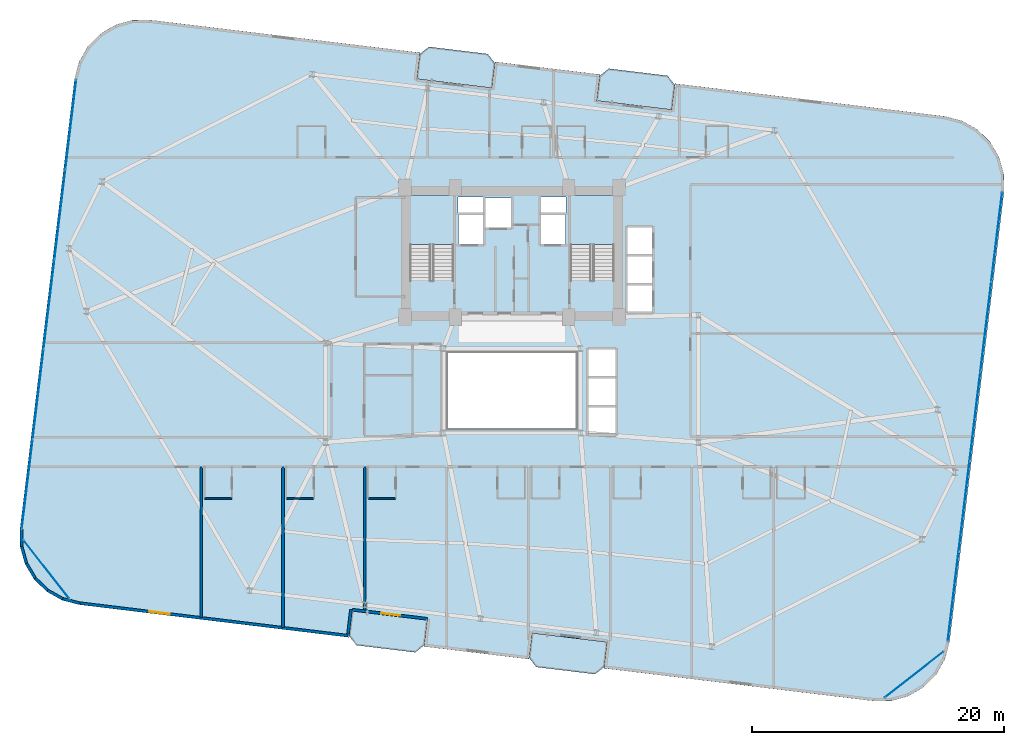
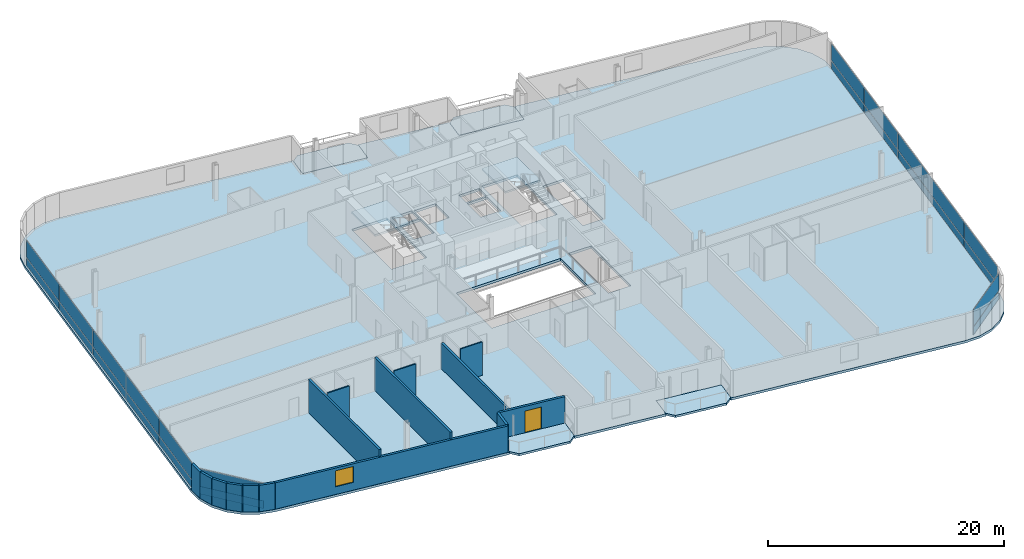
# One storey, part 19 of 26: 24 plates, 15 walls, 7 slabs, 1 door, 1 window, 2 openings, 6 elements without a shape of their own.
"""IFC4 building model written with IfcOpenShell, lengths in metres."""

from ifc_helpers import new_model, si_unit, direction, frame, frame_2d, origin, origin_2d, place, context, subcontext, project, spatial, polyline, rectangle, outline, extrude, source, transform, mapped, material, layer, layer_set, type_object, element, fill, aggregate, save


model = new_model("IFC4")

# Units and contexts
model_context = context("Model", 3, precision=1e-05, world=origin(), true_north=direction((0.0, 1.0)))
body_context = subcontext(model_context, "Body", "Model", "MODEL_VIEW")
ifc_project = project(units=[si_unit("LENGTHUNIT", "METRE"), si_unit("AREAUNIT", "SQUARE_METRE"), si_unit("VOLUMEUNIT", "CUBIC_METRE"), si_unit("PLANEANGLEUNIT", "RADIAN"), si_unit("MASSUNIT", "GRAM", prefix="KILO")], contexts=[model_context])

# Site, building, storey
site_placement = place(None, origin())
site = spatial("IfcSite", under=ifc_project, at=site_placement, CompositionType="ELEMENT")
building_placement = place(site_placement, origin())
building = spatial("IfcBuilding", under=site, at=building_placement, Name="Varnelok Gate Tower", CompositionType="ELEMENT")
storey_placement = place(building_placement, frame((0.0, 0.0, 121.699951171875)))
storey = spatial("IfcBuildingStorey", under=building, at=storey_placement, Name="L30", CompositionType="ELEMENT", Elevation=121.699951171875)

# Slabs
ifc_material_1 = material(Name="Concrete C45/55", Category="concrete")
ifc_layer_1 = layer(ifc_material_1, 0.219970703125)
ifc_layer_set_1 = layer_set([ifc_layer_1], Name="Concrete C45/55")
slab_type_1 = type_object("IfcSlabType", Name="SLB-BALC-220", PredefinedType="FLOOR", material=ifc_layer_set_1)
slab_1_placement = place(storey_placement, frame((0.0, 0.0, -0.219970703125)))
element("IfcSlab", 1, at=slab_1_placement, inside=storey, type_object=slab_type_1, Name="L30 South Hollow Balcony 1", PredefinedType="FLOOR", context=body_context, shape_type="SweptSolid", body=[
    extrude(outline(polyline([(26.27001953125, 3.39697265625), (26.837158203125, 2.67333984375), (31.5029296875, 2.107666015625), (32.2265625, 2.6748046875), (32.46728515625, 4.660400390625), (26.5107421875, 5.38232421875), (26.27001953125, 3.39697265625)])), origin(), (0.0, 0.0, 1.0), 0.219970703125),
])
slab_2_placement = place(storey_placement, frame((0.0, 0.0, -0.219970703125)))
element("IfcSlab", 2, at=slab_2_placement, inside=storey, type_object=slab_type_1, Name="L30 South Hollow Balcony 2", PredefinedType="FLOOR", context=body_context, shape_type="SweptSolid", body=[
    extrude(outline(polyline([(40.5654296875, 1.663818359375), (41.132568359375, 0.9404296875), (45.79833984375, 0.374755859375), (46.521728515625, 0.94189453125), (46.762451171875, 2.92724609375), (40.80615234375, 3.6494140625), (40.5654296875, 1.663818359375)])), origin(), (0.0, 0.0, 1.0), 0.219970703125),
])
slab_3_placement = place(storey_placement, frame((0.0, 0.0, -0.219970703125)))
element("IfcSlab", 3, at=slab_3_placement, inside=storey, type_object=slab_type_1, Name="L30 North Hollow Balcony 1", PredefinedType="FLOOR", context=body_context, shape_type="SweptSolid", body=[
    extrude(outline(polyline([(31.637451171875, 47.672607421875), (37.593994140625, 46.95068359375), (37.834716796875, 48.93603515625), (37.267578125, 49.65966796875), (32.601806640625, 50.22509765625), (31.878173828125, 49.658203125), (31.637451171875, 47.672607421875)])), origin(), (0.0, 0.0, 1.0), 0.219970703125),
])
slab_4_placement = place(storey_placement, frame((0.0, 0.0, -0.219970703125)))
element("IfcSlab", 4, at=slab_4_placement, inside=storey, type_object=slab_type_1, Name="L30 North Hollow Balcony 2", PredefinedType="FLOOR", context=body_context, shape_type="SweptSolid", body=[
    extrude(outline(polyline([(45.932861328125, 45.939697265625), (51.88916015625, 45.2177734375), (52.1298828125, 47.203125), (51.562744140625, 47.926513671875), (46.89697265625, 48.4921875), (46.173583984375, 47.92529296875), (45.932861328125, 45.939697265625)])), origin(), (0.0, 0.0, 1.0), 0.219970703125),
])

# Stair, slab
ifc_material_2 = material(Name="Concrete C50/60", Category="concrete")
stair_type = type_object("IfcStairType", Name="STR-CORE-1650", PredefinedType="HALF_TURN_STAIR", material=ifc_material_2)
stair_1_placement = place(storey_placement, origin())
stair_1 = element("IfcStair", 5, at=stair_1_placement, inside=storey, type_object=stair_type, Name="L30 Exit Stair ST-1", PredefinedType="HALF_TURN_STAIR")
ifc_layer_2 = layer(ifc_material_1, 0.199951171875)
ifc_layer_set_2 = layer_set([ifc_layer_2], Name="Concrete C45/55")
slab_type_2 = type_object("IfcSlabType", Name="SLB-LAND-200", PredefinedType="LANDING", material=ifc_layer_set_2)
slab_5_placement = place(storey_placement, frame((0.0, 0.0, 1.650146484375)))
slab_5 = element("IfcSlab", 6, at=slab_5_placement, type_object=slab_type_2, Name="ST-1 landing 1", PredefinedType="LANDING", context=body_context, shape_type="SweptSolid", body=[
    extrude(outline(polyline([(34.550048828125, 34.5), (34.550048828125, 38.449951171875), (31.10009765625, 38.449951171875), (31.10009765625, 34.5), (34.550048828125, 34.5)])), origin(), (0.0, 0.0, 1.0), 0.199951171875),
])
aggregate(stair_1, [slab_5])

stair_2_placement = place(storey_placement, origin())
stair_2 = element("IfcStair", 7, at=stair_2_placement, inside=storey, type_object=stair_type, Name="L30 Exit Stair ST-2", PredefinedType="HALF_TURN_STAIR")
slab_6_placement = place(storey_placement, frame((0.0, 0.0, 1.650146484375)))
slab_6 = element("IfcSlab", 8, at=slab_6_placement, type_object=slab_type_2, Name="ST-2 landing 1", PredefinedType="LANDING", context=body_context, shape_type="SweptSolid", body=[
    extrude(outline(polyline([(47.300048828125, 34.5), (47.300048828125, 38.449951171875), (43.85009765625, 38.449951171875), (43.85009765625, 34.5), (47.300048828125, 34.5)])), origin(), (0.0, 0.0, 1.0), 0.199951171875),
])
aggregate(stair_2, [slab_6])

# Slab
ifc_layer_3 = layer(ifc_material_2, 0.25)
ifc_layer_set_3 = layer_set([ifc_layer_3], Name="Concrete C50/60")
slab_type_3 = type_object("IfcSlabType", Name="SLB-TYP-250", PredefinedType="FLOOR", material=ifc_layer_set_3)
slab_7_placement = place(storey_placement, frame((0.0, 0.0, -0.25)))
element("IfcSlab", 9, at=slab_7_placement, inside=storey, type_object=slab_type_3, Name="L30 Structural Floor Slab", PredefinedType="FLOOR", context=body_context, shape_type="SweptSolid", body=[
    extrude(outline(polyline([(0.104248046875, 11.90771484375), (0.11865234375, 10.498046875), (0.49755859375, 9.14013671875), (1.214599609375, 7.9267578125), (2.2216796875, 6.940185546875), (3.44970703125, 6.247802734375), (4.81494140625, 5.89697265625), (16.529296875, 4.47705078125), (26.258056640625, 3.297607421875), (26.5107421875, 5.38232421875), (32.46728515625, 4.660400390625), (32.214599609375, 2.575439453125), (40.553466796875, 1.564697265625), (40.80615234375, 3.6494140625), (46.762451171875, 2.92724609375), (46.509765625, 0.842529296875), (56.238525390625, -0.3369140625), (67.952880859375, -1.7568359375), (69.3623046875, -1.742431640625), (70.72021484375, -1.363525390625), (71.933837890625, -0.646240234375), (72.92041015625, 0.360595703125), (73.612548828125, 1.588623046875), (73.96337890625, 2.9541015625), (78.2958984375, 38.6923828125), (78.281494140625, 40.101806640625), (77.902587890625, 41.459716796875), (77.185302734375, 42.67333984375), (76.17822265625, 43.659912109375), (74.9501953125, 44.35205078125), (73.5849609375, 44.702880859375), (61.87060546875, 46.123046875), (52.141845703125, 47.302490234375), (51.88916015625, 45.2177734375), (45.932861328125, 45.939697265625), (46.185546875, 48.0244140625), (37.8466796875, 49.035400390625), (37.593994140625, 46.95068359375), (31.637451171875, 47.672607421875), (31.89013671875, 49.75732421875), (22.161376953125, 50.936767578125), (10.447265625, 52.35693359375), (9.03759765625, 52.34228515625), (7.6796875, 51.963623046875), (6.46630859375, 51.246337890625), (5.479736328125, 50.2392578125), (4.787353515625, 49.01123046875), (4.4365234375, 47.64599609375), (0.104248046875, 11.90771484375)]), holes=[polyline([(34.550048828125, 31.679931640625), (34.550048828125, 38.449951171875), (31.10009765625, 38.449951171875), (31.10009765625, 31.679931640625), (34.550048828125, 31.679931640625)]), polyline([(47.300048828125, 31.679931640625), (47.300048828125, 38.449951171875), (43.85009765625, 38.449951171875), (43.85009765625, 31.679931640625), (47.300048828125, 31.679931640625)]), polyline([(34.949951171875, 34.550048828125), (36.89990234375, 34.550048828125), (36.89990234375, 36.89990234375), (34.949951171875, 36.89990234375), (34.949951171875, 34.550048828125)]), polyline([(41.5, 34.550048828125), (43.449951171875, 34.550048828125), (43.449951171875, 36.89990234375), (41.5, 36.89990234375), (41.5, 34.550048828125)]), polyline([(37.050048828125, 35.85009765625), (39.14990234375, 35.85009765625), (39.14990234375, 38.199951171875), (37.050048828125, 38.199951171875), (37.050048828125, 35.85009765625)]), polyline([(48.35009765625, 29.14990234375), (50.35009765625, 29.14990234375), (50.35009765625, 35.89990234375), (48.35009765625, 35.89990234375), (48.35009765625, 29.14990234375)]), polyline([(45.25, 19.449951171875), (47.449951171875, 19.449951171875), (47.449951171875, 26.199951171875), (45.25, 26.199951171875), (45.25, 19.449951171875)]), polyline([(34.919921875, 37.080078125), (36.89990234375, 37.080078125), (36.89990234375, 38.280029296875), (34.919921875, 38.280029296875), (34.919921875, 37.080078125)]), polyline([(41.5, 37.080078125), (43.47998046875, 37.080078125), (43.47998046875, 38.280029296875), (41.5, 38.280029296875), (41.5, 37.080078125)]), polyline([(34.10009765625, 19.89990234375), (44.300048828125, 19.89990234375), (44.300048828125, 25.89990234375), (34.10009765625, 25.89990234375), (34.10009765625, 19.89990234375)])]), origin(), (0.0, 0.0, 1.0), 0.25),
])

# Curtain wall, plate
ifc_material_3 = material(Name="Anodized Aluminum Alloy 6063-T6", Category="aluminium")
ifc_layer_4 = layer(ifc_material_3, 0.179931640625)
ifc_layer_set_4 = layer_set([ifc_layer_4], Name="Anodized Aluminum Alloy 6063-T6")
curtain_wall_type_1 = type_object("IfcCurtainWallType", Name="CW5-WINDCORNER-GLAZ", PredefinedType="USERDEFINED", material=ifc_layer_set_4)
curtain_wall_1_placement = place(storey_placement, origin())
curtain_wall_1 = element("IfcCurtainWall", 10, at=curtain_wall_1_placement, inside=storey, type_object=curtain_wall_type_1, Name="L30 Wind-Shaped Corner Curtain Wall SW", ObjectType="STRUCTURAL GLAZING", PredefinedType="USERDEFINED")
ifc_material_4 = material(Name="Low-E Laminated Double Glazing IGU", Category="glass")
ifc_layer_5 = layer(ifc_material_4, 0.0419921875)
ifc_layer_set_5 = layer_set([ifc_layer_5], Name="Low-E Laminated Double Glazing IGU")
plate_type_1 = type_object("IfcPlateType", Name="CW-PNL-SPN42", PredefinedType="CURTAIN_PANEL", material=ifc_layer_set_5)
shared_shape_1 = source(origin(), body_context, "Body", "SweptSolid", [
    extrude(rectangle(XDim=5.8662109375, YDim=0.0419921875, at=origin_2d()), origin(), (0.0, 0.0, 1.0), 0.802490234375),
])
plate_1_placement = place(storey_placement, frame((2.20361328125, 8.70166015625, 0.06494140625), z_axis=(0.0, 0.0, 1.0), x_axis=(0.616882780063, -0.787055039792, 0.0)))
plate_1 = element("IfcPlate", 11, at=plate_1_placement, type_object=plate_type_1, Name="CW5 panel 1.1", PredefinedType="CURTAIN_PANEL", context=body_context, shape_type="MappedRepresentation", body=[
    mapped(shared_shape_1, transform((0.0, 0.0, 0.0), scale=1.0)),
])

curtain_wall_2_placement = place(storey_placement, origin())
curtain_wall_2 = element("IfcCurtainWall", 12, at=curtain_wall_2_placement, inside=storey, type_object=curtain_wall_type_1, Name="L30 Wind-Shaped Corner Curtain Wall SE", ObjectType="STRUCTURAL GLAZING", PredefinedType="USERDEFINED")
plate_2_placement = place(storey_placement, frame((71.15869140625, 0.342529296875, 0.06494140625), z_axis=(0.0, 0.0, 1.0), x_axis=(0.787069482921, 0.616864352232, 0.0)))
plate_2 = element("IfcPlate", 13, at=plate_2_placement, type_object=plate_type_1, Name="CW5 panel 1.1", PredefinedType="CURTAIN_PANEL", context=body_context, shape_type="MappedRepresentation", body=[
    mapped(shared_shape_1, transform((0.0, 0.0, 0.0), scale=1.0)),
])

# Plate
shared_shape_2 = source(origin(), body_context, "Body", "SweptSolid", [
    extrude(rectangle(XDim=5.8662109375, YDim=0.0419921875, at=origin_2d()), origin(), (0.0, 0.0, 1.0), 1.732421875),
])
plate_3_placement = place(storey_placement, frame((2.20361328125, 8.70166015625, 0.9326171875), z_axis=(0.0, 0.0, 1.0), x_axis=(0.616882780063, -0.787055039792, 0.0)))
plate_3 = element("IfcPlate", 14, at=plate_3_placement, type_object=plate_type_1, Name="CW5 panel 1.2", PredefinedType="CURTAIN_PANEL", context=body_context, shape_type="MappedRepresentation", body=[
    mapped(shared_shape_2, transform((0.0, 0.0, 0.0), scale=1.0)),
])

aggregate(curtain_wall_1, [plate_1, plate_3])

plate_4_placement = place(storey_placement, frame((71.15869140625, 0.342529296875, 0.9326171875), z_axis=(0.0, 0.0, 1.0), x_axis=(0.787069482921, 0.616864352232, 0.0)))
plate_4 = element("IfcPlate", 15, at=plate_4_placement, type_object=plate_type_1, Name="CW5 panel 1.2", PredefinedType="CURTAIN_PANEL", context=body_context, shape_type="MappedRepresentation", body=[
    mapped(shared_shape_2, transform((0.0, 0.0, 0.0), scale=1.0)),
])

aggregate(curtain_wall_2, [plate_2, plate_4])

# Curtain wall, plates
ifc_layer_6 = layer(ifc_material_3, 0.179931640625)
ifc_layer_set_6 = layer_set([ifc_layer_6], Name="Anodized Aluminum Alloy 6063-T6")
curtain_wall_type_2 = type_object("IfcCurtainWallType", Name="CW3-HOTEL-VISION", PredefinedType="USERDEFINED", material=ifc_layer_set_6)
curtain_wall_3_placement = place(storey_placement, origin())
curtain_wall_3 = element("IfcCurtainWall", 16, at=curtain_wall_3_placement, inside=storey, type_object=curtain_wall_type_2, Name="L30 West End Vision Curtain Wall", ObjectType="UNITISED CURTAIN WALL", PredefinedType="USERDEFINED")
ifc_layer_7 = layer(ifc_material_4, 0.031982421875)
ifc_layer_set_7 = layer_set([ifc_layer_7], Name="Low-E Laminated Double Glazing IGU")
plate_type_2 = type_object("IfcPlateType", Name="CW-PNL-IGU32", PredefinedType="CURTAIN_PANEL", material=ifc_layer_set_7)
shared_shape_3 = source(origin(), body_context, "Body", "SweptSolid", [
    extrude(rectangle(XDim=7.1025390625, YDim=0.031982421875, at=origin_2d()), origin(), (0.0, 0.0, 1.0), 0.802490234375),
])
plate_5_placement = place(storey_placement, frame((0.67822265625, 15.480712890625, 0.06494140625), z_axis=(0.0, 0.0, 1.0), x_axis=(0.120347046212, 0.99273188146, 0.0)))
plate_5 = element("IfcPlate", 17, at=plate_5_placement, type_object=plate_type_2, Name="CW3 panel 1.1", PredefinedType="CURTAIN_PANEL", context=body_context, shape_type="MappedRepresentation", body=[
    mapped(shared_shape_3, transform((0.0, 0.0, 0.0), scale=1.0)),
])
plate_6_placement = place(storey_placement, frame((4.140380859375, 44.039306640625, 0.06494140625), z_axis=(0.0, 0.0, 1.0), x_axis=(0.120347046212, 0.99273188146, 0.0)))
plate_6 = element("IfcPlate", 18, at=plate_6_placement, type_object=plate_type_2, Name="CW3 panel 5.1", PredefinedType="CURTAIN_PANEL", context=body_context, shape_type="MappedRepresentation", body=[
    mapped(shared_shape_3, transform((0.0, 0.0, 0.0), scale=1.0)),
])

curtain_wall_4_placement = place(storey_placement, origin())
curtain_wall_4 = element("IfcCurtainWall", 19, at=curtain_wall_4_placement, inside=storey, type_object=curtain_wall_type_2, Name="L30 East End Vision Curtain Wall", ObjectType="UNITISED CURTAIN WALL", PredefinedType="USERDEFINED")
plate_7_placement = place(storey_placement, frame((77.7216796875, 35.119140625, 0.06494140625), z_axis=(0.0, 0.0, 1.0), x_axis=(-0.120347046212, -0.99273188146, 0.0)))
plate_7 = element("IfcPlate", 20, at=plate_7_placement, type_object=plate_type_2, Name="CW3 panel 1.1", PredefinedType="CURTAIN_PANEL", context=body_context, shape_type="MappedRepresentation", body=[
    mapped(shared_shape_3, transform((0.0, 0.0, 0.0), scale=1.0)),
])
plate_8_placement = place(storey_placement, frame((74.259521484375, 6.560791015625, 0.06494140625), z_axis=(0.0, 0.0, 1.0), x_axis=(-0.120347046212, -0.99273188146, 0.0)))
plate_8 = element("IfcPlate", 21, at=plate_8_placement, type_object=plate_type_2, Name="CW3 panel 5.1", PredefinedType="CURTAIN_PANEL", context=body_context, shape_type="MappedRepresentation", body=[
    mapped(shared_shape_3, transform((0.0, 0.0, 0.0), scale=1.0)),
])

# Plate
shared_shape_4 = source(origin(), body_context, "Body", "SweptSolid", [
    extrude(rectangle(XDim=7.1025390625, YDim=0.031982421875, at=origin_2d()), origin(), (0.0, 0.0, 1.0), 1.732421875),
])
plate_9_placement = place(storey_placement, frame((0.67822265625, 15.480712890625, 0.9326171875), z_axis=(0.0, 0.0, 1.0), x_axis=(0.120347046212, 0.99273188146, 0.0)))
plate_9 = element("IfcPlate", 22, at=plate_9_placement, type_object=plate_type_2, Name="CW3 panel 1.2", PredefinedType="CURTAIN_PANEL", context=body_context, shape_type="MappedRepresentation", body=[
    mapped(shared_shape_4, transform((0.0, 0.0, 0.0), scale=1.0)),
])

plate_10_placement = place(storey_placement, frame((4.140380859375, 44.039306640625, 0.9326171875), z_axis=(0.0, 0.0, 1.0), x_axis=(0.120347046212, 0.99273188146, 0.0)))
plate_10 = element("IfcPlate", 23, at=plate_10_placement, type_object=plate_type_2, Name="CW3 panel 5.2", PredefinedType="CURTAIN_PANEL", context=body_context, shape_type="MappedRepresentation", body=[
    mapped(shared_shape_4, transform((0.0, 0.0, 0.0), scale=1.0)),
])

plate_11_placement = place(storey_placement, frame((77.7216796875, 35.119140625, 0.9326171875), z_axis=(0.0, 0.0, 1.0), x_axis=(-0.120347046212, -0.99273188146, 0.0)))
plate_11 = element("IfcPlate", 24, at=plate_11_placement, type_object=plate_type_2, Name="CW3 panel 1.2", PredefinedType="CURTAIN_PANEL", context=body_context, shape_type="MappedRepresentation", body=[
    mapped(shared_shape_4, transform((0.0, 0.0, 0.0), scale=1.0)),
])

plate_12_placement = place(storey_placement, frame((74.259521484375, 6.560791015625, 0.9326171875), z_axis=(0.0, 0.0, 1.0), x_axis=(-0.120347046212, -0.99273188146, 0.0)))
plate_12 = element("IfcPlate", 25, at=plate_12_placement, type_object=plate_type_2, Name="CW3 panel 5.2", PredefinedType="CURTAIN_PANEL", context=body_context, shape_type="MappedRepresentation", body=[
    mapped(shared_shape_4, transform((0.0, 0.0, 0.0), scale=1.0)),
])

shared_shape_5 = source(origin(), body_context, "Body", "SweptSolid", [
    extrude(rectangle(XDim=7.135009765625, YDim=0.031982421875, at=origin_2d()), origin(), (0.0, 0.0, 1.0), 0.802490234375),
])
plate_13_placement = place(storey_placement, frame((1.54296875, 22.6123046875, 0.06494140625), z_axis=(0.0, 0.0, 1.0), x_axis=(0.120347046212, 0.99273188146, 0.0)))
plate_13 = element("IfcPlate", 26, at=plate_13_placement, type_object=plate_type_2, Name="CW3 panel 2.1", PredefinedType="CURTAIN_PANEL", context=body_context, shape_type="MappedRepresentation", body=[
    mapped(shared_shape_5, transform((0.0, 0.0, 0.0), scale=1.0)),
])

plate_14_placement = place(storey_placement, frame((2.409423828125, 29.760009765625, 0.06494140625), z_axis=(0.0, 0.0, 1.0), x_axis=(0.120347046212, 0.99273188146, 0.0)))
plate_14 = element("IfcPlate", 27, at=plate_14_placement, type_object=plate_type_2, Name="CW3 panel 3.1", PredefinedType="CURTAIN_PANEL", context=body_context, shape_type="MappedRepresentation", body=[
    mapped(shared_shape_5, transform((0.0, 0.0, 0.0), scale=1.0)),
])

plate_15_placement = place(storey_placement, frame((3.27587890625, 36.90771484375, 0.06494140625), z_axis=(0.0, 0.0, 1.0), x_axis=(0.120347046212, 0.99273188146, 0.0)))
plate_15 = element("IfcPlate", 28, at=plate_15_placement, type_object=plate_type_2, Name="CW3 panel 4.1", PredefinedType="CURTAIN_PANEL", context=body_context, shape_type="MappedRepresentation", body=[
    mapped(shared_shape_5, transform((0.0, 0.0, 0.0), scale=1.0)),
])

plate_16_placement = place(storey_placement, frame((76.857177734375, 27.98779296875, 0.06494140625), z_axis=(0.0, 0.0, 1.0), x_axis=(-0.120347046212, -0.99273188146, 0.0)))
plate_16 = element("IfcPlate", 29, at=plate_16_placement, type_object=plate_type_2, Name="CW3 panel 2.1", PredefinedType="CURTAIN_PANEL", context=body_context, shape_type="MappedRepresentation", body=[
    mapped(shared_shape_5, transform((0.0, 0.0, 0.0), scale=1.0)),
])

plate_17_placement = place(storey_placement, frame((75.99072265625, 20.840087890625, 0.06494140625), z_axis=(0.0, 0.0, 1.0), x_axis=(-0.120347046212, -0.99273188146, 0.0)))
plate_17 = element("IfcPlate", 30, at=plate_17_placement, type_object=plate_type_2, Name="CW3 panel 3.1", PredefinedType="CURTAIN_PANEL", context=body_context, shape_type="MappedRepresentation", body=[
    mapped(shared_shape_5, transform((0.0, 0.0, 0.0), scale=1.0)),
])

plate_18_placement = place(storey_placement, frame((75.124267578125, 13.6923828125, 0.06494140625), z_axis=(0.0, 0.0, 1.0), x_axis=(-0.120347046212, -0.99273188146, 0.0)))
plate_18 = element("IfcPlate", 31, at=plate_18_placement, type_object=plate_type_2, Name="CW3 panel 4.1", PredefinedType="CURTAIN_PANEL", context=body_context, shape_type="MappedRepresentation", body=[
    mapped(shared_shape_5, transform((0.0, 0.0, 0.0), scale=1.0)),
])

shared_shape_6 = source(origin(), body_context, "Body", "SweptSolid", [
    extrude(rectangle(XDim=7.135009765625, YDim=0.031982421875, at=origin_2d()), origin(), (0.0, 0.0, 1.0), 1.732421875),
])
plate_19_placement = place(storey_placement, frame((1.54296875, 22.6123046875, 0.9326171875), z_axis=(0.0, 0.0, 1.0), x_axis=(0.120347046212, 0.99273188146, 0.0)))
plate_19 = element("IfcPlate", 32, at=plate_19_placement, type_object=plate_type_2, Name="CW3 panel 2.2", PredefinedType="CURTAIN_PANEL", context=body_context, shape_type="MappedRepresentation", body=[
    mapped(shared_shape_6, transform((0.0, 0.0, 0.0), scale=1.0)),
])

plate_20_placement = place(storey_placement, frame((2.409423828125, 29.760009765625, 0.9326171875), z_axis=(0.0, 0.0, 1.0), x_axis=(0.120347046212, 0.99273188146, 0.0)))
plate_20 = element("IfcPlate", 33, at=plate_20_placement, type_object=plate_type_2, Name="CW3 panel 3.2", PredefinedType="CURTAIN_PANEL", context=body_context, shape_type="MappedRepresentation", body=[
    mapped(shared_shape_6, transform((0.0, 0.0, 0.0), scale=1.0)),
])

plate_21_placement = place(storey_placement, frame((3.27587890625, 36.90771484375, 0.9326171875), z_axis=(0.0, 0.0, 1.0), x_axis=(0.120347046212, 0.99273188146, 0.0)))
plate_21 = element("IfcPlate", 34, at=plate_21_placement, type_object=plate_type_2, Name="CW3 panel 4.2", PredefinedType="CURTAIN_PANEL", context=body_context, shape_type="MappedRepresentation", body=[
    mapped(shared_shape_6, transform((0.0, 0.0, 0.0), scale=1.0)),
])

aggregate(curtain_wall_3, [plate_5, plate_9, plate_13, plate_19, plate_14, plate_20, plate_15, plate_21, plate_6, plate_10])

plate_22_placement = place(storey_placement, frame((76.857177734375, 27.98779296875, 0.9326171875), z_axis=(0.0, 0.0, 1.0), x_axis=(-0.120347046212, -0.99273188146, 0.0)))
plate_22 = element("IfcPlate", 35, at=plate_22_placement, type_object=plate_type_2, Name="CW3 panel 2.2", PredefinedType="CURTAIN_PANEL", context=body_context, shape_type="MappedRepresentation", body=[
    mapped(shared_shape_6, transform((0.0, 0.0, 0.0), scale=1.0)),
])

plate_23_placement = place(storey_placement, frame((75.99072265625, 20.840087890625, 0.9326171875), z_axis=(0.0, 0.0, 1.0), x_axis=(-0.120347046212, -0.99273188146, 0.0)))
plate_23 = element("IfcPlate", 36, at=plate_23_placement, type_object=plate_type_2, Name="CW3 panel 3.2", PredefinedType="CURTAIN_PANEL", context=body_context, shape_type="MappedRepresentation", body=[
    mapped(shared_shape_6, transform((0.0, 0.0, 0.0), scale=1.0)),
])

plate_24_placement = place(storey_placement, frame((75.124267578125, 13.6923828125, 0.9326171875), z_axis=(0.0, 0.0, 1.0), x_axis=(-0.120347046212, -0.99273188146, 0.0)))
plate_24 = element("IfcPlate", 37, at=plate_24_placement, type_object=plate_type_2, Name="CW3 panel 4.2", PredefinedType="CURTAIN_PANEL", context=body_context, shape_type="MappedRepresentation", body=[
    mapped(shared_shape_6, transform((0.0, 0.0, 0.0), scale=1.0)),
])

aggregate(curtain_wall_4, [plate_7, plate_11, plate_16, plate_22, plate_17, plate_23, plate_18, plate_24, plate_8, plate_12])

# Wall, opening, door
ifc_layer_8 = layer(ifc_material_1, 0.219970703125)
ifc_layer_set_8 = layer_set([ifc_layer_8], Name="Concrete C45/55")
wall_type_1 = type_object("IfcWallType", Name="EW-BALC-220", PredefinedType="SOLIDWALL", material=ifc_layer_set_8)
wall_1_placement = place(storey_placement, frame((32.48046875, 4.76953125, 0.0), z_axis=(0.0, 0.0, 1.0), x_axis=(-0.992735402148, 0.120318000826, 0.0)))
wall_1 = element("IfcWall", 38, at=wall_1_placement, inside=storey, type_object=wall_type_1, Name="L30 South Terrace Envelope Wall 1", PredefinedType="SOLIDWALL", context=body_context, shape_type="SweptSolid", body=[
    extrude(rectangle(XDim=6.000244140625, YDim=0.219970703125, at=frame_2d((3.0, 0.0))), origin(), (0.0, 0.0, 1.0), 2.72998046875),
])
opening_1_placement = place(wall_1_placement, frame((2.176025390625, 0.0, 0.0)))
opening_1 = element("IfcOpeningElement", 39, at=opening_1_placement, cuts=wall_1, Name="Opening BD-1", PredefinedType="OPENING", context=body_context, shape_type="SweptSolid", body=[
    extrude(rectangle(XDim=1.5, YDim=2.25, at=frame_2d((0.75, 1.125))), frame((0.0, 0.119873046875, 0.0), z_axis=(0.0, -1.0, 0.0), x_axis=(1.0, 0.0, 0.0)), (0.0, 0.0, 1.0), 0.239990234375),
])
door_type = type_object("IfcDoorType", Name="DR-EXT-BALC1500", OperationType="NOTDEFINED", PredefinedType="DOOR", material=ifc_material_3)
door_placement = place(opening_1_placement, origin())
door = element("IfcDoor", 40, at=door_placement, inside=storey, type_object=door_type, Name="L30 South Balcony Glazed Door 1", OperationType="SINGLE_SWING_RIGHT", OverallHeight=2.25, OverallWidth=1.5, PredefinedType="DOOR", context=body_context, shape_type="SweptSolid", body=[
    extrude(rectangle(XDim=1.5, YDim=2.25, at=frame_2d((0.75, 1.125))), frame((0.0, 0.02490234375, 0.0), z_axis=(0.0, -1.0, 0.0), x_axis=(1.0, 0.0, 0.0)), (0.0, 0.0, 1.0), 0.050048828125),
])
fill(opening_1, door)

# Walls
wall_2_placement = place(storey_placement, frame((0.224365234375, 11.89306640625, 0.0), z_axis=(0.0, 0.0, 1.0), x_axis=(0.010098705419, -0.999949006774, 0.0)))
element("IfcWall", 41, at=wall_2_placement, inside=storey, type_object=wall_type_1, Name="L30 Perimeter Facade Closure Wall 1", PredefinedType="SOLIDWALL", context=body_context, shape_type="SweptSolid", body=[
    extrude(rectangle(XDim=1.3779296875, YDim=0.219970703125, at=frame_2d((0.68896484375, 0.0))), origin(), (0.0, 0.0, 1.0), 2.72998046875),
])
wall_3_placement = place(storey_placement, frame((0.2451171875, 10.490966796875, 0.0), z_axis=(0.0, 0.0, 1.0), x_axis=(0.268853470153, -0.963181089716, 0.0)))
element("IfcWall", 42, at=wall_3_placement, inside=storey, type_object=wall_type_1, Name="L30 Perimeter Facade Closure Wall 2", PredefinedType="SOLIDWALL", context=body_context, shape_type="SweptSolid", body=[
    extrude(rectangle(XDim=1.35302734375, YDim=0.219970703125, at=frame_2d((0.676513671875, 0.0))), origin(), (0.0, 0.0, 1.0), 2.72998046875),
])
wall_4_placement = place(storey_placement, frame((0.62158203125, 9.166015625, 0.0), z_axis=(0.0, 0.0, 1.0), x_axis=(0.508911700393, -0.860818727261, 0.0)))
element("IfcWall", 43, at=wall_4_placement, inside=storey, type_object=wall_type_1, Name="L30 Perimeter Facade Closure Wall 3", PredefinedType="SOLIDWALL", context=body_context, shape_type="SweptSolid", body=[
    extrude(rectangle(XDim=1.352783203125, YDim=0.219970703125, at=frame_2d((0.67626953125, 0.0))), origin(), (0.0, 0.0, 1.0), 2.72998046875),
])
wall_5_placement = place(storey_placement, frame((1.327880859375, 7.98388671875, 0.0), z_axis=(0.0, 0.0, 1.0), x_axis=(0.714376989847, -0.69976104234, 0.0)))
element("IfcWall", 44, at=wall_5_placement, inside=storey, type_object=wall_type_1, Name="L30 Perimeter Facade Closure Wall 4", PredefinedType="SOLIDWALL", context=body_context, shape_type="SweptSolid", body=[
    extrude(rectangle(XDim=1.35302734375, YDim=0.219970703125, at=frame_2d((0.676513671875, 0.0))), origin(), (0.0, 0.0, 1.0), 2.72998046875),
])
wall_6_placement = place(storey_placement, frame((2.316162109375, 7.024658203125, 0.0), z_axis=(0.0, 0.0, 1.0), x_axis=(0.87113677592, -0.491040443996, 0.0)))
element("IfcWall", 45, at=wall_6_placement, inside=storey, type_object=wall_type_1, Name="L30 Perimeter Facade Closure Wall 5", PredefinedType="SOLIDWALL", context=body_context, shape_type="SweptSolid", body=[
    extrude(rectangle(XDim=1.353271484375, YDim=0.219970703125, at=frame_2d((0.6767578125, 0.0))), origin(), (0.0, 0.0, 1.0), 2.72998046875),
])
wall_7_placement = place(storey_placement, frame((3.519287109375, 6.35400390625, 0.0), z_axis=(0.0, 0.0, 1.0), x_axis=(0.968506529347, -0.248988157573, 0.0)))
element("IfcWall", 46, at=wall_7_placement, inside=storey, type_object=wall_type_1, Name="L30 Perimeter Facade Closure Wall 6", PredefinedType="SOLIDWALL", context=body_context, shape_type="SweptSolid", body=[
    extrude(rectangle(XDim=1.361083984375, YDim=0.219970703125, at=frame_2d((0.6806640625, 0.0))), origin(), (0.0, 0.0, 1.0), 2.72998046875),
])

# Wall, opening, window
wall_8_placement = place(storey_placement, frame((4.862060546875, 6.01220703125, 0.0), z_axis=(0.0, 0.0, 1.0), x_axis=(0.99273213367, -0.120344965739, 0.0)))
wall_8 = element("IfcWall", 47, at=wall_8_placement, inside=storey, type_object=wall_type_1, Name="L30 Perimeter Facade Closure Wall 7", PredefinedType="SOLIDWALL", context=body_context, shape_type="SweptSolid", body=[
    extrude(rectangle(XDim=21.447021484375, YDim=0.219970703125, at=frame_2d((10.7236328125, 0.0))), origin(), (0.0, 0.0, 1.0), 2.72998046875),
])
opening_2_placement = place(wall_8_placement, frame((5.543212890625, 0.0, 0.800048828125)))
opening_2 = element("IfcOpeningElement", 48, at=opening_2_placement, cuts=wall_8, Name="Opening WN3", PredefinedType="OPENING", context=body_context, shape_type="SweptSolid", body=[
    extrude(rectangle(XDim=1.64990234375, YDim=1.64990234375, at=frame_2d((0.824951171875, 0.824951171875))), frame((0.0, 0.119873046875, 0.0), z_axis=(0.0, -1.0, 0.0), x_axis=(1.0, 0.0, 0.0)), (0.0, 0.0, 1.0), 0.239990234375),
])
window_type = type_object("IfcWindowType", Name="WN-HTL-1650", PartitioningType="SINGLE_PANEL", PredefinedType="WINDOW", material=ifc_material_4)
window_placement = place(opening_2_placement, origin())
window = element("IfcWindow", 49, at=window_placement, inside=storey, type_object=window_type, Name="L30 Perimeter Vision Window 7", OverallHeight=1.64990234375, OverallWidth=1.64990234375, PartitioningType="SINGLE_PANEL", PredefinedType="WINDOW", context=body_context, shape_type="SweptSolid", body=[
    extrude(rectangle(XDim=1.64990234375, YDim=1.64990234375, at=frame_2d((0.824951171875, 0.824951171875))), frame((0.0, 0.030029296875, 0.0), z_axis=(0.0, -1.0, 0.0), x_axis=(1.0, 0.0, 0.0)), (0.0, 0.0, 1.0), 0.06005859375),
])
fill(opening_2, window)

# Walls
wall_9_placement = place(storey_placement, frame((26.16845703125, 3.555419921875, 0.0), z_axis=(0.0, 0.0, 1.0), x_axis=(0.120290754542, 0.992738703976, 0.0)))
element("IfcWall", 50, at=wall_9_placement, inside=storey, type_object=wall_type_1, Name="L30 Perimeter Facade Closure Wall 8", PredefinedType="SOLIDWALL", context=body_context, shape_type="SweptSolid", body=[
    extrude(rectangle(XDim=1.974853515625, YDim=0.219970703125, at=frame_2d((0.9873046875, 0.0))), origin(), (0.0, 0.0, 1.0), 2.72998046875),
])
ifc_material_5 = material(Name="Gypsum Plasterboard Acoustic Partition", Category="gypsum")
ifc_layer_9 = layer(ifc_material_5, 0.114990234375)
ifc_layer_set_9 = layer_set([ifc_layer_9], Name="Gypsum Plasterboard Acoustic Partition")
wall_type_2 = type_object("IfcWallType", Name="PW-ENS-125", PredefinedType="PARTITIONING", material=ifc_layer_set_9)
for number, where, z_axis, x_axis, name in (
    (51, (14.800048828125, 14.330078125, 0.0), (0.0, 0.0, 1.0), (1.0, 0.0, 0.0), "Interior Partition"),
    (52, (21.300048828125, 14.330078125, 0.0), (0.0, 0.0, 1.0), (1.0, 0.0, 0.0), "Interior Partition"),
    (53, (27.800048828125, 14.330078125, 0.0), (0.0, 0.0, 1.0), (1.0, 0.0, 0.0), "Interior Partition"),
):
    element("IfcWall", number, at=place(storey_placement, frame(where, z_axis=z_axis, x_axis=x_axis)), inside=storey, type_object=wall_type_2, Name=name, PredefinedType="PARTITIONING", context=body_context, shape_type="SweptSolid", body=[
        extrude(rectangle(XDim=2.1240234375, YDim=0.114990234375, at=frame_2d((1.06201171875, 0.0))), origin(), (0.0, 0.0, 1.0), 3.449951171875),
    ])
ifc_layer_10 = layer(ifc_material_5, 0.205078125)
ifc_layer_set_10 = layer_set([ifc_layer_10], Name="Gypsum Plasterboard Acoustic Partition")
wall_type_3 = type_object("IfcWallType", Name="PW-PARTY-200", PredefinedType="PARTITIONING", material=ifc_layer_set_10)
wall_10_placement = place(storey_placement, frame((14.5, 4.864013671875, 0.0), z_axis=(0.0, 0.0, 1.0), x_axis=(0.0, 1.0, 0.0)))
element("IfcWall", 54, at=wall_10_placement, inside=storey, type_object=wall_type_3, Name="L30 South Party Wall 1", PredefinedType="PARTITIONING", context=body_context, shape_type="SweptSolid", body=[
    extrude(rectangle(XDim=11.986083984375, YDim=0.205078125, at=frame_2d((5.9931640625, 0.0))), origin(), (0.0, 0.0, 1.0), 3.449951171875),
])
wall_11_placement = place(storey_placement, frame((21.0, 4.076171875, 0.0), z_axis=(0.0, 0.0, 1.0), x_axis=(0.0, 1.0, 0.0)))
element("IfcWall", 55, at=wall_11_placement, inside=storey, type_object=wall_type_3, Name="L30 South Party Wall 2", PredefinedType="PARTITIONING", context=body_context, shape_type="SweptSolid", body=[
    extrude(rectangle(XDim=12.77392578125, YDim=0.205078125, at=frame_2d((6.386962890625, 0.0))), origin(), (0.0, 0.0, 1.0), 3.449951171875),
])
wall_12_placement = place(storey_placement, frame((27.5, 5.4033203125, 0.0), z_axis=(0.0, 0.0, 1.0), x_axis=(0.0, 1.0, 0.0)))
element("IfcWall", 56, at=wall_12_placement, inside=storey, type_object=wall_type_3, Name="L30 South Party Wall 3", PredefinedType="PARTITIONING", context=body_context, shape_type="SweptSolid", body=[
    extrude(rectangle(XDim=11.44677734375, YDim=0.205078125, at=frame_2d((5.723388671875, 0.0))), origin(), (0.0, 0.0, 1.0), 2.662109375),
])

save(model, "model.ifc")
